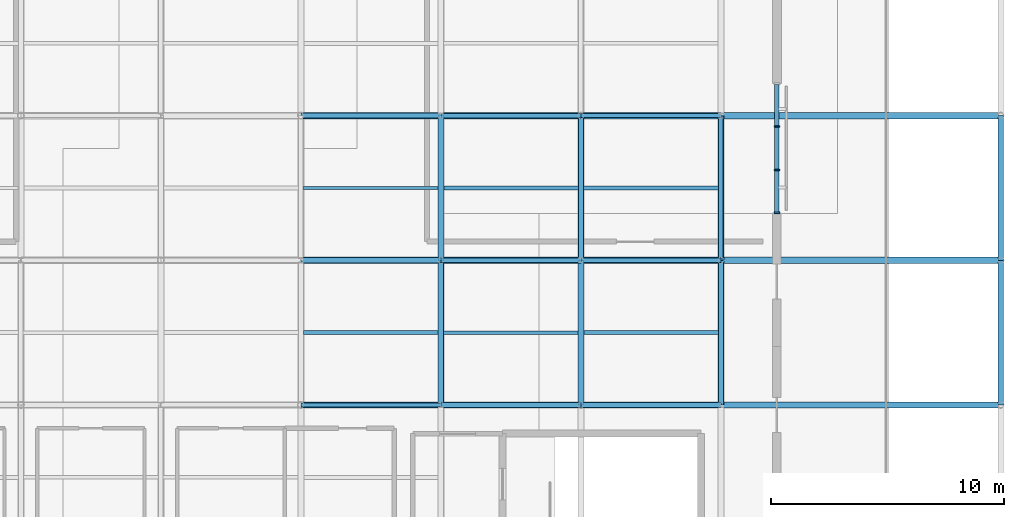
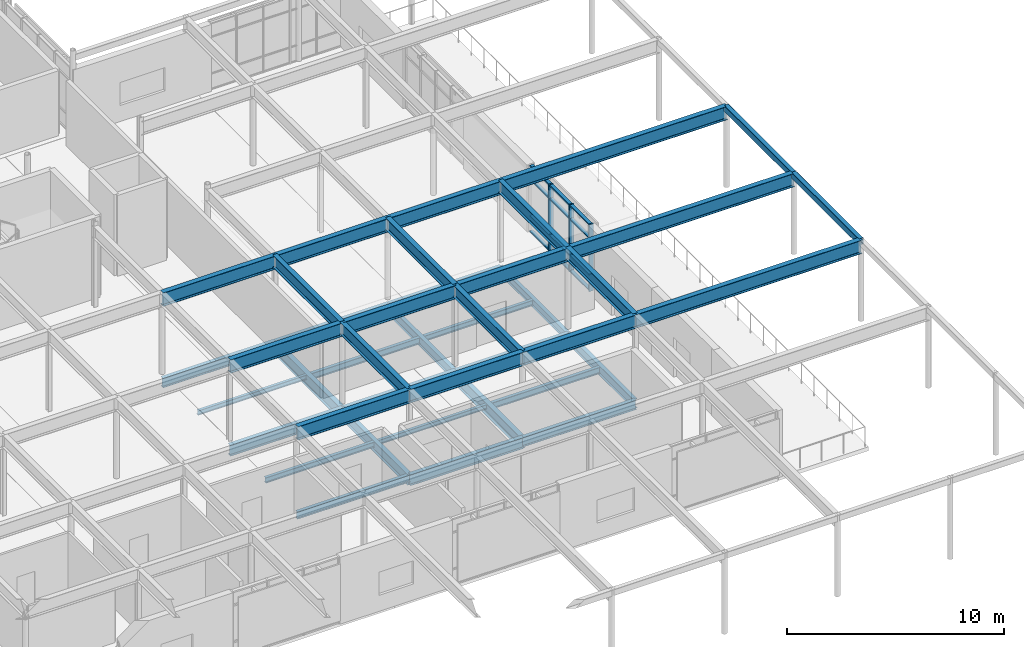
# One storey, part 26 of 48: 41 beams, 15 members, 1 element without a shape of its own.
"""IFC4 building model written with IfcOpenShell, lengths in metres."""

from ifc_helpers import new_model, si_unit, direction, frame, origin, origin_2d, place, context, subcontext, project, spatial, rectangle, hollow_rectangle, i_section, extrude, material, layer, layer_set, material_profile, profile_set, type_object, element, aggregate, save


model = new_model("IFC4")

# Units and contexts
model_context = context("Model", 3, precision=1e-05, world=origin(), true_north=direction((0.0, 1.0)))
body_context = subcontext(model_context, "Body", "Model", "MODEL_VIEW")
ifc_project = project(units=[si_unit("LENGTHUNIT", "METRE"), si_unit("AREAUNIT", "SQUARE_METRE"), si_unit("VOLUMEUNIT", "CUBIC_METRE"), si_unit("PLANEANGLEUNIT", "RADIAN"), si_unit("MASSUNIT", "GRAM", prefix="KILO")], contexts=[model_context])

# Site, building, storey
site_placement = place(None, origin())
site = spatial("IfcSite", under=ifc_project, at=site_placement, CompositionType="ELEMENT")
building_placement = place(site_placement, origin())
building = spatial("IfcBuilding", under=site, at=building_placement, Name="Mirzam Square Science Centre", CompositionType="ELEMENT")
storey_placement = place(building_placement, frame((0.0, 0.0, 20.39990234375)))
storey = spatial("IfcBuildingStorey", under=building, at=storey_placement, Name="L04", CompositionType="ELEMENT", Elevation=20.39990234375)

# Beams
ifc_material_1 = material(Name="Steel S355", Category="steel")
ifc_material_profile_1 = material_profile(ifc_material_1, i_section(OverallWidth=0.1787109375, OverallDepth=0.409423828125, WebThickness=0.0087890625, FlangeThickness=0.014404296875, FilletRadius=0.01025390625, at=origin_2d()), Name="406x178x67UB")
ifc_profile_set_1 = profile_set([ifc_material_profile_1], Name="Steel S355")
beam_type_1 = type_object("IfcBeamType", Name="BM-UB406", PredefinedType="BEAM", material=ifc_profile_set_1)
for number, where, z_axis, x_axis, name in (
    (1, (132.0, 55.800048828125, -0.45458984375), (1.0, 0.0, 0.0), (0.0, 1.0, 0.0), "L04 girder X23-10"),
    (2, (144.0, 68.199951171875, -0.45458984375), (1.0, 0.0, 0.0), (0.0, 1.0, 0.0), "L04 girder X25-12"),
):
    element("IfcBeam", number, at=place(storey_placement, frame(where, z_axis=z_axis, x_axis=x_axis)), inside=storey, type_object=beam_type_1, Name=name, PredefinedType="BEAM", context=body_context, shape_type="SweptSolid", body=[
        extrude(i_section(OverallWidth=0.1787109375, OverallDepth=0.409423828125, WebThickness=0.0087890625, FlangeThickness=0.014404296875, FilletRadius=0.01025390625, at=origin_2d()), origin(), (0.0, 0.0, 1.0), 6.0),
    ])
ifc_material_profile_2 = material_profile(ifc_material_1, i_section(OverallWidth=0.19140625, OverallDepth=0.4599609375, WebThickness=0.010009765625, FlangeThickness=0.01611328125, FilletRadius=0.01025390625, at=origin_2d()), Name="457x191x82UB")
ifc_profile_set_2 = profile_set([ifc_material_profile_2], Name="Steel S355")
beam_type_2 = type_object("IfcBeamType", Name="BM-UB457", PredefinedType="BEAM", material=ifc_profile_set_2)
for number, where, z_axis, x_axis, name in (
    (3, (144.0, 62.0, -0.47998046875), (1.0, 0.0, 0.0), (0.0, 1.0, 0.0), "L04 girder X25-11"),
    (4, (138.0, 68.199951171875, -0.47998046875), (1.0, 0.0, 0.0), (0.0, 1.0, 0.0), "L04 girder X24-12"),
):
    element("IfcBeam", number, at=place(storey_placement, frame(where, z_axis=z_axis, x_axis=x_axis)), inside=storey, type_object=beam_type_2, Name=name, PredefinedType="BEAM", context=body_context, shape_type="SweptSolid", body=[
        extrude(i_section(OverallWidth=0.19140625, OverallDepth=0.4599609375, WebThickness=0.010009765625, FlangeThickness=0.01611328125, FilletRadius=0.01025390625, at=origin_2d()), origin(), (0.0, 0.0, 1.0), 6.0),
    ])
beam_1_placement = place(storey_placement, frame((150.0, 62.0, -0.47998046875), z_axis=(0.0, 1.0, 0.0), x_axis=(-1.0, 0.0, 0.0)))
element("IfcBeam", 5, at=beam_1_placement, inside=storey, type_object=beam_type_2, Name="L04 girder Y26-11", PredefinedType="BEAM", context=body_context, shape_type="SweptSolid", body=[
    extrude(i_section(OverallWidth=0.19140625, OverallDepth=0.4599609375, WebThickness=0.010009765625, FlangeThickness=0.01611328125, FilletRadius=0.01025390625, at=origin_2d()), origin(), (0.0, 0.0, 1.0), 6.199951171875),
])
ifc_material_profile_3 = material_profile(ifc_material_1, i_section(OverallWidth=0.2099609375, OverallDepth=0.53662109375, WebThickness=0.0107421875, FlangeThickness=0.017333984375, FilletRadius=0.0126953125, at=origin_2d()), Name="533x210x101UB")
ifc_profile_set_3 = profile_set([ifc_material_profile_3], Name="Steel S355")
beam_type_3 = type_object("IfcBeamType", Name="BM-UB533", PredefinedType="BEAM", material=ifc_profile_set_3)
for number, where, z_axis, x_axis, name in (
    (6, (144.0, 55.800048828125, -0.518310546875), (1.0, 0.0, 0.0), (0.0, 1.0, 0.0), "L04 girder X25-10"),
    (7, (138.0, 62.0, -0.518310546875), (1.0, 0.0, 0.0), (0.0, 1.0, 0.0), "L04 girder X24-11"),
    (8, (132.0, 68.199951171875, -0.518310546875), (1.0, 0.0, 0.0), (0.0, 1.0, 0.0), "L04 girder X23-12"),
):
    element("IfcBeam", number, at=place(storey_placement, frame(where, z_axis=z_axis, x_axis=x_axis)), inside=storey, type_object=beam_type_3, Name=name, PredefinedType="BEAM", context=body_context, shape_type="SweptSolid", body=[
        extrude(i_section(OverallWidth=0.2099609375, OverallDepth=0.53662109375, WebThickness=0.0107421875, FlangeThickness=0.017333984375, FilletRadius=0.0126953125, at=origin_2d()), origin(), (0.0, 0.0, 1.0), 6.0),
    ])
for number, where, z_axis, x_axis, name in (
    (9, (144.0, 62.0, -0.518310546875), (0.0, 1.0, 0.0), (-1.0, 0.0, 0.0), "L04 girder Y25-11"),
    (10, (150.0, 55.800048828125, -0.518310546875), (0.0, 1.0, 0.0), (-1.0, 0.0, 0.0), "L04 girder Y26-10"),
):
    element("IfcBeam", number, at=place(storey_placement, frame(where, z_axis=z_axis, x_axis=x_axis)), inside=storey, type_object=beam_type_3, Name=name, PredefinedType="BEAM", context=body_context, shape_type="SweptSolid", body=[
        extrude(i_section(OverallWidth=0.2099609375, OverallDepth=0.53662109375, WebThickness=0.0107421875, FlangeThickness=0.017333984375, FilletRadius=0.0126953125, at=origin_2d()), origin(), (0.0, 0.0, 1.0), 6.199951171875),
    ])
ifc_material_profile_4 = material_profile(ifc_material_1, i_section(OverallWidth=0.22900390625, OverallDepth=0.6123046875, WebThickness=0.011962890625, FlangeThickness=0.01953125, FilletRadius=0.0126953125, at=origin_2d()), Name="610x229x125UB")
ifc_profile_set_4 = profile_set([ifc_material_profile_4], Name="Steel S355")
beam_type_4 = type_object("IfcBeamType", Name="BM-UB610", PredefinedType="BEAM", material=ifc_profile_set_4)
for number, where, z_axis, x_axis, name in (
    (11, (138.0, 55.800048828125, -0.555908203125), (1.0, 0.0, 0.0), (0.0, 1.0, 0.0), "L04 girder X24-10"),
    (12, (132.0, 62.0, -0.555908203125), (1.0, 0.0, 0.0), (0.0, 1.0, 0.0), "L04 girder X23-11"),
):
    element("IfcBeam", number, at=place(storey_placement, frame(where, z_axis=z_axis, x_axis=x_axis)), inside=storey, type_object=beam_type_4, Name=name, PredefinedType="BEAM", context=body_context, shape_type="SweptSolid", body=[
        extrude(i_section(OverallWidth=0.22900390625, OverallDepth=0.6123046875, WebThickness=0.011962890625, FlangeThickness=0.01953125, FilletRadius=0.0126953125, at=origin_2d()), origin(), (0.0, 0.0, 1.0), 6.0),
    ])
beam_2_placement = place(storey_placement, frame((138.0, 55.800048828125, -0.555908203125), z_axis=(0.0, 1.0, 0.0), x_axis=(-1.0, 0.0, 0.0)))
element("IfcBeam", 13, at=beam_2_placement, inside=storey, type_object=beam_type_4, Name="L04 girder Y24-10", PredefinedType="BEAM", context=body_context, shape_type="SweptSolid", body=[
    extrude(i_section(OverallWidth=0.22900390625, OverallDepth=0.6123046875, WebThickness=0.011962890625, FlangeThickness=0.01953125, FilletRadius=0.0126953125, at=origin_2d()), origin(), (0.0, 0.0, 1.0), 6.199951171875),
])
ifc_material_profile_5 = material_profile(ifc_material_1, i_section(OverallWidth=0.25439453125, OverallDepth=0.6875, WebThickness=0.01318359375, FlangeThickness=0.02099609375, FilletRadius=0.01513671875, at=origin_2d()), Name="686x254x152UB")
ifc_profile_set_5 = profile_set([ifc_material_profile_5], Name="Steel S355")
beam_type_5 = type_object("IfcBeamType", Name="BM-UB686", PredefinedType="BEAM", material=ifc_profile_set_5)
for number, where, z_axis, x_axis, name in (
    (14, (138.0, 62.0, -0.59375), (0.0, 1.0, 0.0), (-1.0, 0.0, 0.0), "L04 girder Y24-11"),
    (15, (144.0, 55.800048828125, -0.59375), (0.0, 1.0, 0.0), (-1.0, 0.0, 0.0), "L04 girder Y25-10"),
    (16, (138.0, 55.800048828125, 4.226318359375), (0.0, 1.0, 0.0), (-1.0, 0.0, 0.0), "Parasol roof girder X24 Y10-11"),
    (17, (138.0, 62.0, 4.226318359375), (0.0, 1.0, 0.0), (-1.0, 0.0, 0.0), "Parasol roof girder X24 Y11-12"),
    (18, (144.0, 55.800048828125, 4.226318359375), (0.0, 1.0, 0.0), (-1.0, 0.0, 0.0), "Parasol roof girder X25 Y10-11"),
    (19, (144.0, 62.0, 4.226318359375), (0.0, 1.0, 0.0), (-1.0, 0.0, 0.0), "Parasol roof girder X25 Y11-12"),
    (20, (150.0, 55.800048828125, 4.226318359375), (0.0, 1.0, 0.0), (-1.0, 0.0, 0.0), "Parasol roof girder X26 Y10-11"),
    (21, (150.0, 62.0, 4.226318359375), (0.0, 1.0, 0.0), (-1.0, 0.0, 0.0), "Parasol roof girder X26 Y11-12"),
):
    element("IfcBeam", number, at=place(storey_placement, frame(where, z_axis=z_axis, x_axis=x_axis)), inside=storey, type_object=beam_type_5, Name=name, PredefinedType="BEAM", context=body_context, shape_type="SweptSolid", body=[
        extrude(i_section(OverallWidth=0.25439453125, OverallDepth=0.6875, WebThickness=0.01318359375, FlangeThickness=0.02099609375, FilletRadius=0.01513671875, at=origin_2d()), origin(), (0.0, 0.0, 1.0), 6.199951171875),
    ])
ifc_material_profile_6 = material_profile(ifc_material_1, i_section(OverallWidth=0.2666015625, OverallDepth=0.76220703125, WebThickness=0.014404296875, FlangeThickness=0.021484375, FilletRadius=0.0166015625, at=origin_2d()), Name="762x267x173UB")
ifc_profile_set_6 = profile_set([ifc_material_profile_6], Name="Steel S355")
beam_type_6 = type_object("IfcBeamType", Name="BM-UB762", PredefinedType="BEAM", material=ifc_profile_set_6)
for number, where, z_axis, x_axis, name in (
    (22, (132.0, 55.800048828125, 4.18896484375), (1.0, 0.0, 0.0), (0.0, 1.0, 0.0), "Parasol roof girder Y10 X23-24"),
    (23, (138.0, 55.800048828125, 4.18896484375), (1.0, 0.0, 0.0), (0.0, 1.0, 0.0), "Parasol roof girder Y10 X24-25"),
    (24, (144.0, 55.800048828125, 4.18896484375), (1.0, 0.0, 0.0), (0.0, 1.0, 0.0), "Parasol roof girder Y10 X25-26"),
):
    element("IfcBeam", number, at=place(storey_placement, frame(where, z_axis=z_axis, x_axis=x_axis)), inside=storey, type_object=beam_type_6, Name=name, PredefinedType="BEAM", context=body_context, shape_type="SweptSolid", body=[
        extrude(i_section(OverallWidth=0.2666015625, OverallDepth=0.76220703125, WebThickness=0.014404296875, FlangeThickness=0.021484375, FilletRadius=0.0166015625, at=origin_2d()), origin(), (0.0, 0.0, 1.0), 6.0),
    ])
beam_3_placement = place(storey_placement, frame((150.0, 55.800048828125, 4.18896484375), z_axis=(1.0, 0.0, 0.0), x_axis=(0.0, 1.0, 0.0)))
element("IfcBeam", 25, at=beam_3_placement, inside=storey, type_object=beam_type_6, Name="Parasol roof girder Y10 X26-28", PredefinedType="BEAM", context=body_context, shape_type="SweptSolid", body=[
    extrude(i_section(OverallWidth=0.2666015625, OverallDepth=0.76220703125, WebThickness=0.014404296875, FlangeThickness=0.021484375, FilletRadius=0.0166015625, at=origin_2d()), origin(), (0.0, 0.0, 1.0), 12.0),
])
for number, where, z_axis, x_axis, name in (
    (26, (132.0, 62.0, 4.18896484375), (1.0, 0.0, 0.0), (0.0, 1.0, 0.0), "Parasol roof girder Y11 X23-24"),
    (27, (138.0, 62.0, 4.18896484375), (1.0, 0.0, 0.0), (0.0, 1.0, 0.0), "Parasol roof girder Y11 X24-25"),
    (28, (144.0, 62.0, 4.18896484375), (1.0, 0.0, 0.0), (0.0, 1.0, 0.0), "Parasol roof girder Y11 X25-26"),
):
    element("IfcBeam", number, at=place(storey_placement, frame(where, z_axis=z_axis, x_axis=x_axis)), inside=storey, type_object=beam_type_6, Name=name, PredefinedType="BEAM", context=body_context, shape_type="SweptSolid", body=[
        extrude(i_section(OverallWidth=0.2666015625, OverallDepth=0.76220703125, WebThickness=0.014404296875, FlangeThickness=0.021484375, FilletRadius=0.0166015625, at=origin_2d()), origin(), (0.0, 0.0, 1.0), 6.0),
    ])
beam_4_placement = place(storey_placement, frame((150.0, 62.0, 4.18896484375), z_axis=(1.0, 0.0, 0.0), x_axis=(0.0, 1.0, 0.0)))
element("IfcBeam", 29, at=beam_4_placement, inside=storey, type_object=beam_type_6, Name="Parasol roof girder Y11 X26-28", PredefinedType="BEAM", context=body_context, shape_type="SweptSolid", body=[
    extrude(i_section(OverallWidth=0.2666015625, OverallDepth=0.76220703125, WebThickness=0.014404296875, FlangeThickness=0.021484375, FilletRadius=0.0166015625, at=origin_2d()), origin(), (0.0, 0.0, 1.0), 12.0),
])
for number, where, z_axis, x_axis, name in (
    (30, (132.0, 68.199951171875, 4.18896484375), (1.0, 0.0, 0.0), (0.0, 1.0, 0.0), "Parasol roof girder Y12 X23-24"),
    (31, (138.0, 68.199951171875, 4.18896484375), (1.0, 0.0, 0.0), (0.0, 1.0, 0.0), "Parasol roof girder Y12 X24-25"),
    (32, (144.0, 68.199951171875, 4.18896484375), (1.0, 0.0, 0.0), (0.0, 1.0, 0.0), "Parasol roof girder Y12 X25-26"),
):
    element("IfcBeam", number, at=place(storey_placement, frame(where, z_axis=z_axis, x_axis=x_axis)), inside=storey, type_object=beam_type_6, Name=name, PredefinedType="BEAM", context=body_context, shape_type="SweptSolid", body=[
        extrude(i_section(OverallWidth=0.2666015625, OverallDepth=0.76220703125, WebThickness=0.014404296875, FlangeThickness=0.021484375, FilletRadius=0.0166015625, at=origin_2d()), origin(), (0.0, 0.0, 1.0), 6.0),
    ])
beam_5_placement = place(storey_placement, frame((150.0, 68.199951171875, 4.18896484375), z_axis=(1.0, 0.0, 0.0), x_axis=(0.0, 1.0, 0.0)))
element("IfcBeam", 33, at=beam_5_placement, inside=storey, type_object=beam_type_6, Name="Parasol roof girder Y12 X26-28", PredefinedType="BEAM", context=body_context, shape_type="SweptSolid", body=[
    extrude(i_section(OverallWidth=0.2666015625, OverallDepth=0.76220703125, WebThickness=0.014404296875, FlangeThickness=0.021484375, FilletRadius=0.0166015625, at=origin_2d()), origin(), (0.0, 0.0, 1.0), 12.0),
])

# Curtain wall, members
ifc_material_2 = material(Name="Anodised Aluminium and Low-E Solar Glass", Category="aluminium")
ifc_layer = layer(ifc_material_2, 0.239990234375)
ifc_layer_set = layer_set([ifc_layer], Name="CW-EAST-B")
curtain_wall_type = type_object("IfcCurtainWallType", Name="CW-EAST-B", PredefinedType="USERDEFINED", material=ifc_layer_set)
curtain_wall_placement = place(storey_placement, origin())
curtain_wall = element("IfcCurtainWall", 34, at=curtain_wall_placement, inside=storey, type_object=curtain_wall_type, Name="L04 unitised curtain wall 150", ObjectType="UNITISED CURTAIN WALL", PredefinedType="USERDEFINED")
ifc_material_3 = material(Name="Anodised Architectural Aluminium 6063-T6", Category="aluminium")
ifc_material_profile_7 = material_profile(ifc_material_3, rectangle(XDim=0.074951171875, YDim=0.239990234375, at=origin_2d()), Name="ALU-MULL-240x75x5")
ifc_profile_set_7 = profile_set([ifc_material_profile_7], Name="Anodised Architectural Aluminium 6063-T6")
member_type_1 = type_object("IfcMemberType", Name="CWM-240", PredefinedType="MULLION", material=ifc_profile_set_7)
member_1_placement = place(storey_placement, frame((152.39990234375, 64.035400390625, 0.0), z_axis=(0.0, 0.0, 1.0), x_axis=(0.0, 1.0, 0.0)))
member_1 = element("IfcMember", 35, at=member_1_placement, type_object=member_type_1, Name="CW-06 mullion 1", PredefinedType="MULLION", context=body_context, shape_type="SweptSolid", body=[
    extrude(rectangle(XDim=0.074951171875, YDim=0.239990234375, at=origin_2d()), origin(), (0.0, 0.0, 1.0), 3.760009765625),
])
member_2_placement = place(storey_placement, frame((152.39990234375, 65.865966796875, 0.0), z_axis=(0.0, 0.0, 1.0), x_axis=(0.0, 1.0, 0.0)))
member_2 = element("IfcMember", 36, at=member_2_placement, type_object=member_type_1, Name="CW-06 mullion 2", PredefinedType="MULLION", context=body_context, shape_type="SweptSolid", body=[
    extrude(rectangle(XDim=0.074951171875, YDim=0.239990234375, at=origin_2d()), origin(), (0.0, 0.0, 1.0), 3.760009765625),
])
member_3_placement = place(storey_placement, frame((152.39990234375, 67.734130859375, 0.0), z_axis=(0.0, 0.0, 1.0), x_axis=(0.0, 1.0, 0.0)))
member_3 = element("IfcMember", 37, at=member_3_placement, type_object=member_type_1, Name="CW-06 mullion 3", PredefinedType="MULLION", context=body_context, shape_type="SweptSolid", body=[
    extrude(rectangle(XDim=0.074951171875, YDim=0.239990234375, at=origin_2d()), origin(), (0.0, 0.0, 1.0), 3.760009765625),
])
ifc_material_profile_8 = material_profile(ifc_material_3, rectangle(XDim=0.179931640625, YDim=0.074951171875, at=origin_2d()), Name="ALU-TRAN-180x75x5")
ifc_profile_set_8 = profile_set([ifc_material_profile_8], Name="Anodised Architectural Aluminium 6063-T6")
member_type_2 = type_object("IfcMemberType", Name="CWT-180", PredefinedType="USERDEFINED", material=ifc_profile_set_8)
member_4_placement = place(storey_placement, frame((152.39990234375, 64.072998046875, 0.03759765625), z_axis=(0.0, 1.0, 0.0), x_axis=(-1.0, 0.0, 0.0)))
member_4 = element("IfcMember", 38, at=member_4_placement, type_object=member_type_2, Name="CW-06 transom 1.1", ObjectType="TRANSOM", PredefinedType="USERDEFINED", context=body_context, shape_type="SweptSolid", body=[
    extrude(rectangle(XDim=0.179931640625, YDim=0.074951171875, at=origin_2d()), origin(), (0.0, 0.0, 1.0), 1.75537109375),
])
member_5_placement = place(storey_placement, frame((152.39990234375, 64.072998046875, 0.900146484375), z_axis=(0.0, 1.0, 0.0), x_axis=(-1.0, 0.0, 0.0)))
member_5 = element("IfcMember", 39, at=member_5_placement, type_object=member_type_2, Name="CW-06 transom 1.2", ObjectType="TRANSOM", PredefinedType="USERDEFINED", context=body_context, shape_type="SweptSolid", body=[
    extrude(rectangle(XDim=0.179931640625, YDim=0.074951171875, at=origin_2d()), origin(), (0.0, 0.0, 1.0), 1.75537109375),
])
member_6_placement = place(storey_placement, frame((152.39990234375, 64.072998046875, 2.960205078125), z_axis=(0.0, 1.0, 0.0), x_axis=(-1.0, 0.0, 0.0)))
member_6 = element("IfcMember", 40, at=member_6_placement, type_object=member_type_2, Name="CW-06 transom 1.3", ObjectType="TRANSOM", PredefinedType="USERDEFINED", context=body_context, shape_type="SweptSolid", body=[
    extrude(rectangle(XDim=0.179931640625, YDim=0.074951171875, at=origin_2d()), origin(), (0.0, 0.0, 1.0), 1.75537109375),
])
member_7_placement = place(storey_placement, frame((152.39990234375, 64.072998046875, 3.72265625), z_axis=(0.0, 1.0, 0.0), x_axis=(-1.0, 0.0, 0.0)))
member_7 = element("IfcMember", 41, at=member_7_placement, type_object=member_type_2, Name="CW-06 transom 1.4", ObjectType="TRANSOM", PredefinedType="USERDEFINED", context=body_context, shape_type="SweptSolid", body=[
    extrude(rectangle(XDim=0.179931640625, YDim=0.074951171875, at=origin_2d()), origin(), (0.0, 0.0, 1.0), 1.75537109375),
])
member_8_placement = place(storey_placement, frame((152.39990234375, 65.903564453125, 0.03759765625), z_axis=(0.0, 1.0, 0.0), x_axis=(-1.0, 0.0, 0.0)))
member_8 = element("IfcMember", 42, at=member_8_placement, type_object=member_type_2, Name="CW-06 transom 2.1", ObjectType="TRANSOM", PredefinedType="USERDEFINED", context=body_context, shape_type="SweptSolid", body=[
    extrude(rectangle(XDim=0.179931640625, YDim=0.074951171875, at=origin_2d()), origin(), (0.0, 0.0, 1.0), 1.79296875),
])
member_9_placement = place(storey_placement, frame((152.39990234375, 65.903564453125, 0.900146484375), z_axis=(0.0, 1.0, 0.0), x_axis=(-1.0, 0.0, 0.0)))
member_9 = element("IfcMember", 43, at=member_9_placement, type_object=member_type_2, Name="CW-06 transom 2.2", ObjectType="TRANSOM", PredefinedType="USERDEFINED", context=body_context, shape_type="SweptSolid", body=[
    extrude(rectangle(XDim=0.179931640625, YDim=0.074951171875, at=origin_2d()), origin(), (0.0, 0.0, 1.0), 1.79296875),
])
member_10_placement = place(storey_placement, frame((152.39990234375, 65.903564453125, 2.960205078125), z_axis=(0.0, 1.0, 0.0), x_axis=(-1.0, 0.0, 0.0)))
member_10 = element("IfcMember", 44, at=member_10_placement, type_object=member_type_2, Name="CW-06 transom 2.3", ObjectType="TRANSOM", PredefinedType="USERDEFINED", context=body_context, shape_type="SweptSolid", body=[
    extrude(rectangle(XDim=0.179931640625, YDim=0.074951171875, at=origin_2d()), origin(), (0.0, 0.0, 1.0), 1.79296875),
])
member_11_placement = place(storey_placement, frame((152.39990234375, 65.903564453125, 3.72265625), z_axis=(0.0, 1.0, 0.0), x_axis=(-1.0, 0.0, 0.0)))
member_11 = element("IfcMember", 45, at=member_11_placement, type_object=member_type_2, Name="CW-06 transom 2.4", ObjectType="TRANSOM", PredefinedType="USERDEFINED", context=body_context, shape_type="SweptSolid", body=[
    extrude(rectangle(XDim=0.179931640625, YDim=0.074951171875, at=origin_2d()), origin(), (0.0, 0.0, 1.0), 1.79296875),
])
member_12_placement = place(storey_placement, frame((152.39990234375, 67.771484375, 0.03759765625), z_axis=(0.0, 1.0, 0.0), x_axis=(-1.0, 0.0, 0.0)))
member_12 = element("IfcMember", 46, at=member_12_placement, type_object=member_type_2, Name="CW-06 transom 3.1", ObjectType="TRANSOM", PredefinedType="USERDEFINED", context=body_context, shape_type="SweptSolid", body=[
    extrude(rectangle(XDim=0.179931640625, YDim=0.074951171875, at=origin_2d()), origin(), (0.0, 0.0, 1.0), 1.755615234375),
])
member_13_placement = place(storey_placement, frame((152.39990234375, 67.771484375, 0.900146484375), z_axis=(0.0, 1.0, 0.0), x_axis=(-1.0, 0.0, 0.0)))
member_13 = element("IfcMember", 47, at=member_13_placement, type_object=member_type_2, Name="CW-06 transom 3.2", ObjectType="TRANSOM", PredefinedType="USERDEFINED", context=body_context, shape_type="SweptSolid", body=[
    extrude(rectangle(XDim=0.179931640625, YDim=0.074951171875, at=origin_2d()), origin(), (0.0, 0.0, 1.0), 1.755615234375),
])
member_14_placement = place(storey_placement, frame((152.39990234375, 67.771484375, 2.960205078125), z_axis=(0.0, 1.0, 0.0), x_axis=(-1.0, 0.0, 0.0)))
member_14 = element("IfcMember", 48, at=member_14_placement, type_object=member_type_2, Name="CW-06 transom 3.3", ObjectType="TRANSOM", PredefinedType="USERDEFINED", context=body_context, shape_type="SweptSolid", body=[
    extrude(rectangle(XDim=0.179931640625, YDim=0.074951171875, at=origin_2d()), origin(), (0.0, 0.0, 1.0), 1.755615234375),
])
member_15_placement = place(storey_placement, frame((152.39990234375, 67.771484375, 3.72265625), z_axis=(0.0, 1.0, 0.0), x_axis=(-1.0, 0.0, 0.0)))
member_15 = element("IfcMember", 49, at=member_15_placement, type_object=member_type_2, Name="CW-06 transom 3.4", ObjectType="TRANSOM", PredefinedType="USERDEFINED", context=body_context, shape_type="SweptSolid", body=[
    extrude(rectangle(XDim=0.179931640625, YDim=0.074951171875, at=origin_2d()), origin(), (0.0, 0.0, 1.0), 1.755615234375),
])
aggregate(curtain_wall, [member_1, member_2, member_3, member_4, member_5, member_6, member_7, member_8, member_9, member_10, member_11, member_12, member_13, member_14, member_15])

# Beams
ifc_material_profile_9 = material_profile(ifc_material_1, i_section(OverallWidth=0.146484375, OverallDepth=0.256103515625, WebThickness=0.00634765625, FlangeThickness=0.010986328125, FilletRadius=0.007568359375, at=origin_2d()), Name="254x146x37UB")
ifc_profile_set_9 = profile_set([ifc_material_profile_9], Name="Steel S355")
beam_type_7 = type_object("IfcBeamType", Name="JS-UB254", PredefinedType="JOIST", material=ifc_profile_set_9)
beam_6_placement = place(storey_placement, frame((132.095703125, 65.10009765625, -0.3779296875), z_axis=(1.0, 0.0, 0.0), x_axis=(0.0, 1.0, 0.0)))
element("IfcBeam", 50, at=beam_6_placement, inside=storey, type_object=beam_type_7, Name="L04 composite joist 23-11", PredefinedType="JOIST", context=body_context, shape_type="SweptSolid", body=[
    extrude(i_section(OverallWidth=0.146484375, OverallDepth=0.256103515625, WebThickness=0.00634765625, FlangeThickness=0.010986328125, FilletRadius=0.007568359375, at=origin_2d()), origin(), (0.0, 0.0, 1.0), 5.777099609375),
])
beam_7_placement = place(storey_placement, frame((138.114501953125, 58.89990234375, -0.3779296875), z_axis=(1.0, 0.0, 0.0), x_axis=(0.0, 1.0, 0.0)))
element("IfcBeam", 51, at=beam_7_placement, inside=storey, type_object=beam_type_7, Name="L04 composite joist 24-10", PredefinedType="JOIST", context=body_context, shape_type="SweptSolid", body=[
    extrude(i_section(OverallWidth=0.146484375, OverallDepth=0.256103515625, WebThickness=0.00634765625, FlangeThickness=0.010986328125, FilletRadius=0.007568359375, at=origin_2d()), origin(), (0.0, 0.0, 1.0), 5.75830078125),
])
ifc_material_profile_10 = material_profile(ifc_material_1, i_section(OverallWidth=0.165771484375, OverallDepth=0.306640625, WebThickness=0.006591796875, FlangeThickness=0.01171875, FilletRadius=0.0087890625, at=origin_2d()), Name="305x165x46UB")
ifc_profile_set_10 = profile_set([ifc_material_profile_10], Name="Steel S355")
beam_type_8 = type_object("IfcBeamType", Name="JS-UB305", PredefinedType="JOIST", material=ifc_profile_set_10)
beam_8_placement = place(storey_placement, frame((132.10498046875, 58.89990234375, -0.4033203125), z_axis=(1.0, 0.0, 0.0), x_axis=(0.0, 1.0, 0.0)))
element("IfcBeam", 52, at=beam_8_placement, inside=storey, type_object=beam_type_8, Name="L04 composite joist 23-10", PredefinedType="JOIST", context=body_context, shape_type="SweptSolid", body=[
    extrude(i_section(OverallWidth=0.165771484375, OverallDepth=0.306640625, WebThickness=0.006591796875, FlangeThickness=0.01171875, FilletRadius=0.0087890625, at=origin_2d()), origin(), (0.0, 0.0, 1.0), 5.780517578125),
])
beam_9_placement = place(storey_placement, frame((144.10498046875, 65.10009765625, -0.4033203125), z_axis=(1.0, 0.0, 0.0), x_axis=(0.0, 1.0, 0.0)))
element("IfcBeam", 53, at=beam_9_placement, inside=storey, type_object=beam_type_8, Name="L04 composite joist 25-11", PredefinedType="JOIST", context=body_context, shape_type="SweptSolid", body=[
    extrude(i_section(OverallWidth=0.165771484375, OverallDepth=0.306640625, WebThickness=0.006591796875, FlangeThickness=0.01171875, FilletRadius=0.0087890625, at=origin_2d()), origin(), (0.0, 0.0, 1.0), 5.79931640625),
])
ifc_material_profile_11 = material_profile(ifc_material_1, i_section(OverallWidth=0.172119140625, OverallDepth=0.35791015625, WebThickness=0.008056640625, FlangeThickness=0.012939453125, FilletRadius=0.01025390625, at=origin_2d()), Name="356x171x57UB")
ifc_profile_set_11 = profile_set([ifc_material_profile_11], Name="Steel S355")
beam_type_9 = type_object("IfcBeamType", Name="JS-UB356", PredefinedType="JOIST", material=ifc_profile_set_11)
for number, where, z_axis, x_axis, name in (
    (54, (138.127197265625, 65.10009765625, -0.428955078125), (1.0, 0.0, 0.0), (0.0, 1.0, 0.0), "L04 composite joist 24-11"),
    (55, (144.127197265625, 58.89990234375, -0.428955078125), (1.0, 0.0, 0.0), (0.0, 1.0, 0.0), "L04 composite joist 25-10"),
):
    element("IfcBeam", number, at=place(storey_placement, frame(where, z_axis=z_axis, x_axis=x_axis)), inside=storey, type_object=beam_type_9, Name=name, PredefinedType="JOIST", context=body_context, shape_type="SweptSolid", body=[
        extrude(i_section(OverallWidth=0.172119140625, OverallDepth=0.35791015625, WebThickness=0.008056640625, FlangeThickness=0.012939453125, FilletRadius=0.01025390625, at=origin_2d()), origin(), (0.0, 0.0, 1.0), 5.767822265625),
    ])
ifc_material_profile_12 = material_profile(ifc_material_1, hollow_rectangle(XDim=0.25, YDim=0.35009765625, WallThickness=0.012451171875, InnerFilletRadius=0.012451171875, OuterFilletRadius=0.02490234375, at=origin_2d()), Name="350x250x12.5RHS")
ifc_profile_set_12 = profile_set([ifc_material_profile_12], Name="Steel S355")
beam_type_10 = type_object("IfcBeamType", Name="SP-RHS350", PredefinedType="SPANDREL", material=ifc_profile_set_12)
for number, where, z_axis, x_axis, name in (
    (56, (162.0, 55.800048828125, 4.39501953125), (0.0, 1.0, 0.0), (-1.0, 0.0, 0.0), "Parasol E fascia beam 10"),
    (57, (162.0, 62.0, 4.39501953125), (0.0, 1.0, 0.0), (-1.0, 0.0, 0.0), "Parasol E fascia beam 11"),
):
    element("IfcBeam", number, at=place(storey_placement, frame(where, z_axis=z_axis, x_axis=x_axis)), inside=storey, type_object=beam_type_10, Name=name, PredefinedType="SPANDREL", context=body_context, shape_type="SweptSolid", body=[
        extrude(hollow_rectangle(XDim=0.25, YDim=0.35009765625, WallThickness=0.012451171875, InnerFilletRadius=0.012451171875, OuterFilletRadius=0.02490234375, at=origin_2d()), origin(), (0.0, 0.0, 1.0), 6.199951171875),
    ])

save(model, "model.ifc")
